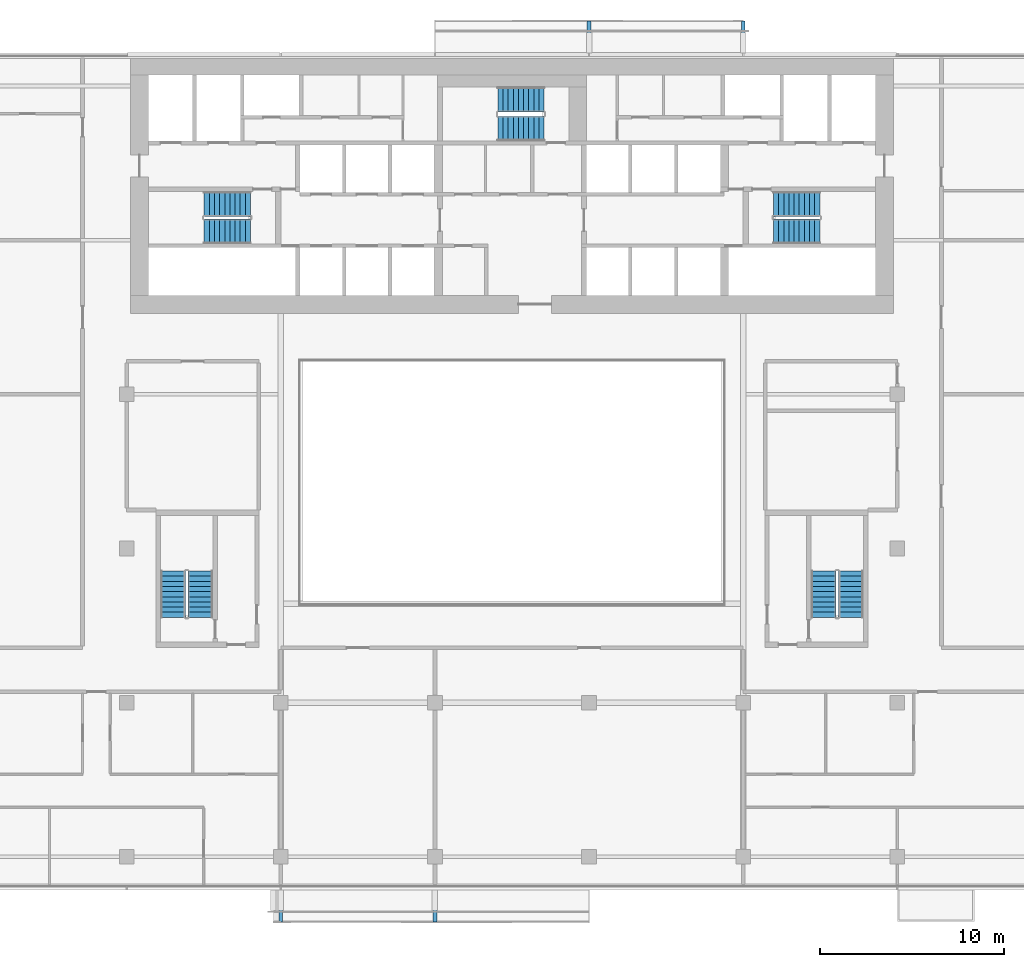
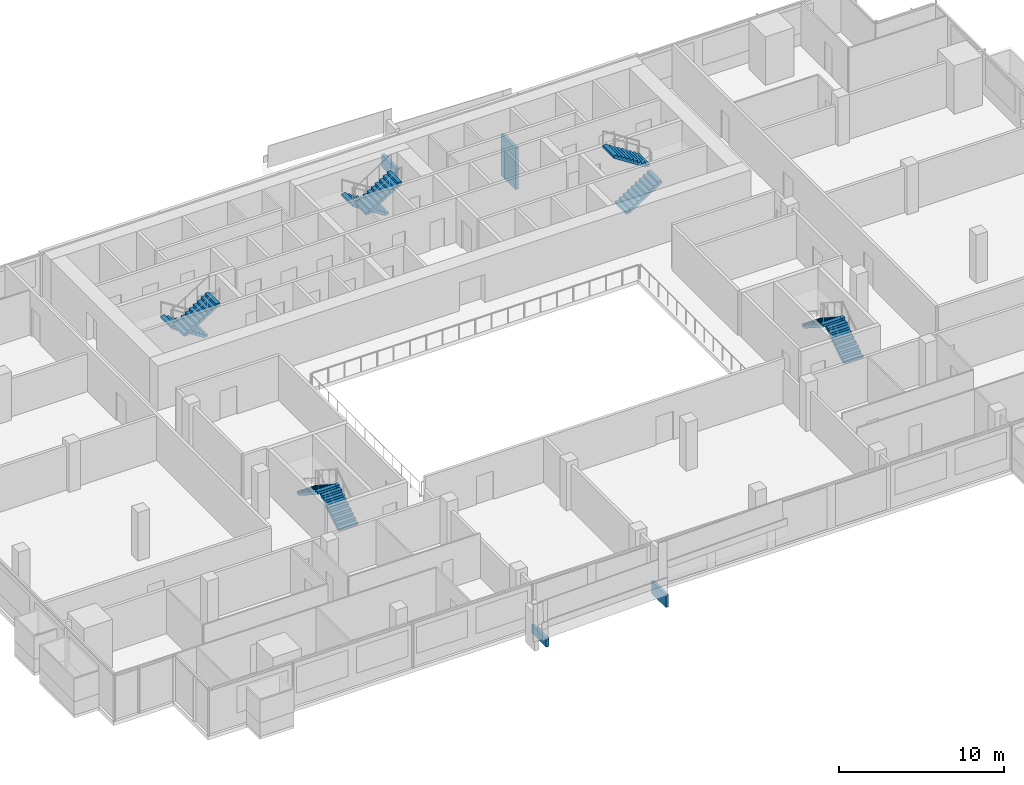
# One storey, part 24 of 26: 10 stair flights, 4 discrete accessories, 5 elements without a shape of their own.
"""IFC4 building model written with IfcOpenShell, lengths in metres."""

from ifc_helpers import new_model, si_unit, direction, frame, origin, origin_2d, place, context, subcontext, project, spatial, polyline, rectangle, outline, extrude, material, type_object, element, aggregate, save


model = new_model("IFC4")

# Units and contexts
model_context = context("Model", 3, precision=1e-05, world=origin(), true_north=direction((0.0, 1.0)))
body_context = subcontext(model_context, "Body", "Model", "MODEL_VIEW")
ifc_project = project(units=[si_unit("LENGTHUNIT", "METRE"), si_unit("AREAUNIT", "SQUARE_METRE"), si_unit("VOLUMEUNIT", "CUBIC_METRE"), si_unit("PLANEANGLEUNIT", "RADIAN"), si_unit("MASSUNIT", "GRAM", prefix="KILO")], contexts=[model_context])

# Site, building, storey
site_placement = place(None, origin())
site = spatial("IfcSite", under=ifc_project, at=site_placement, CompositionType="ELEMENT")
building_placement = place(site_placement, origin())
building = spatial("IfcBuilding", under=site, at=building_placement, Name="Saffron Gate Tower", CompositionType="ELEMENT")
storey_placement = place(building_placement, frame((0.0, 0.0, 98.85009765625)))
storey = spatial("IfcBuildingStorey", under=building, at=storey_placement, Name="L22", CompositionType="ELEMENT", Elevation=98.85009765625)

# Stair, stair flights
ifc_material = material(Name="Concrete C40", Category="concrete")
stair_type = type_object("IfcStairType", Name="ST7 Stair 1350 wide, 20 risers of 180", PredefinedType="HALF_TURN_STAIR", material=ifc_material)
stair_1_placement = place(storey_placement, origin())
stair_1 = element("IfcStair", 1, at=stair_1_placement, inside=storey, type_object=stair_type, Name="L22 Exit stair A", PredefinedType="HALF_TURN_STAIR")
stair_flight_type = type_object("IfcStairFlightType", Name="SF3 Stair flight 1350 wide, riser 180 going 280", PredefinedType="STRAIGHT", material=ifc_material)
stair_flight_1_placement = place(storey_placement, frame((73.35009765625, 67.375, 0.0), z_axis=(0.0, 0.0, 1.0), x_axis=(-1.0, 0.0, 0.0)))
stair_flight_1 = element("IfcStairFlight", 2, at=stair_flight_1_placement, type_object=stair_flight_type, Name="ST-A flight 1", NumberOfRisers=10, NumberOfTreads=9, PredefinedType="STRAIGHT", RiserHeight=0.18, TreadLength=0.28, context=body_context, shape_type="SweptSolid", body=[
    extrude(outline(polyline([(0.0, 0.0), (0.0, 0.179931640625), (0.280029296875, 0.179931640625), (0.280029296875, 0.360107421875), (0.56005859375, 0.360107421875), (0.56005859375, 0.5400390625), (0.840087890625, 0.5400390625), (0.840087890625, 0.719970703125), (1.1201171875, 0.719970703125), (1.1201171875, 0.89990234375), (1.39990234375, 0.89990234375), (1.39990234375, 1.080078125), (1.679931640625, 1.080078125), (1.679931640625, 1.260009765625), (1.9599609375, 1.260009765625), (1.9599609375, 1.43994140625), (2.239990234375, 1.43994140625), (2.239990234375, 1.6201171875), (2.52001953125, 1.6201171875), (2.52001953125, 1.800048828125), (2.52001953125, 1.44189453125), (0.277099609375, 0.0), (0.0, 0.0)])), frame((0.0, 0.675048828125, 0.0), z_axis=(0.0, -1.0, 0.0), x_axis=(1.0, 0.0, 0.0)), (0.0, 0.0, 1.0), 1.35009765625),
])
stair_flight_2_placement = place(storey_placement, frame((70.830078125, 65.875, 1.7998046875), z_axis=(0.0, 0.0, 1.0), x_axis=(1.0, 0.0, 0.0)))
stair_flight_2 = element("IfcStairFlight", 3, at=stair_flight_2_placement, type_object=stair_flight_type, Name="ST-A flight 2", NumberOfRisers=10, NumberOfTreads=9, PredefinedType="STRAIGHT", RiserHeight=0.18, TreadLength=0.28, context=body_context, shape_type="SweptSolid", body=[
    extrude(outline(polyline([(0.0, 0.0), (0.0, 0.179931640625), (0.280029296875, 0.179931640625), (0.280029296875, 0.360107421875), (0.56005859375, 0.360107421875), (0.56005859375, 0.5400390625), (0.840087890625, 0.5400390625), (0.840087890625, 0.719970703125), (1.1201171875, 0.719970703125), (1.1201171875, 0.89990234375), (1.39990234375, 0.89990234375), (1.39990234375, 1.080078125), (1.679931640625, 1.080078125), (1.679931640625, 1.260009765625), (1.9599609375, 1.260009765625), (1.9599609375, 1.43994140625), (2.239990234375, 1.43994140625), (2.239990234375, 1.6201171875), (2.52001953125, 1.6201171875), (2.52001953125, 1.800048828125), (2.52001953125, 1.44189453125), (0.277099609375, 0.0), (0.0, 0.0)])), frame((0.0, 0.675048828125, 0.0), z_axis=(0.0, -1.0, 0.0), x_axis=(1.0, 0.0, 0.0)), (0.0, 0.0, 1.0), 1.35009765625),
])
aggregate(stair_1, [stair_flight_1, stair_flight_2])

stair_2_placement = place(storey_placement, origin())
stair_2 = element("IfcStair", 4, at=stair_2_placement, inside=storey, type_object=stair_type, Name="L22 Exit stair B", PredefinedType="HALF_TURN_STAIR")
stair_flight_3_placement = place(storey_placement, frame((101.85009765625, 65.875, 0.0), z_axis=(0.0, 0.0, 1.0), x_axis=(1.0, 0.0, 0.0)))
stair_flight_3 = element("IfcStairFlight", 5, at=stair_flight_3_placement, type_object=stair_flight_type, Name="ST-B flight 1", NumberOfRisers=10, NumberOfTreads=9, PredefinedType="STRAIGHT", RiserHeight=0.18, TreadLength=0.28, context=body_context, shape_type="SweptSolid", body=[
    extrude(outline(polyline([(0.0, 0.0), (0.0, 0.179931640625), (0.280029296875, 0.179931640625), (0.280029296875, 0.360107421875), (0.56005859375, 0.360107421875), (0.56005859375, 0.5400390625), (0.840087890625, 0.5400390625), (0.840087890625, 0.719970703125), (1.1201171875, 0.719970703125), (1.1201171875, 0.89990234375), (1.39990234375, 0.89990234375), (1.39990234375, 1.080078125), (1.679931640625, 1.080078125), (1.679931640625, 1.260009765625), (1.9599609375, 1.260009765625), (1.9599609375, 1.43994140625), (2.239990234375, 1.43994140625), (2.239990234375, 1.6201171875), (2.52001953125, 1.6201171875), (2.52001953125, 1.800048828125), (2.52001953125, 1.44189453125), (0.277099609375, 0.0), (0.0, 0.0)])), frame((0.0, 0.675048828125, 0.0), z_axis=(0.0, -1.0, 0.0), x_axis=(1.0, 0.0, 0.0)), (0.0, 0.0, 1.0), 1.35009765625),
])
stair_flight_4_placement = place(storey_placement, frame((104.3701171875, 67.375, 1.7998046875), z_axis=(0.0, 0.0, 1.0), x_axis=(-1.0, 0.0, 0.0)))
stair_flight_4 = element("IfcStairFlight", 6, at=stair_flight_4_placement, type_object=stair_flight_type, Name="ST-B flight 2", NumberOfRisers=10, NumberOfTreads=9, PredefinedType="STRAIGHT", RiserHeight=0.18, TreadLength=0.28, context=body_context, shape_type="SweptSolid", body=[
    extrude(outline(polyline([(0.0, 0.0), (0.0, 0.179931640625), (0.280029296875, 0.179931640625), (0.280029296875, 0.360107421875), (0.56005859375, 0.360107421875), (0.56005859375, 0.5400390625), (0.840087890625, 0.5400390625), (0.840087890625, 0.719970703125), (1.1201171875, 0.719970703125), (1.1201171875, 0.89990234375), (1.39990234375, 0.89990234375), (1.39990234375, 1.080078125), (1.679931640625, 1.080078125), (1.679931640625, 1.260009765625), (1.9599609375, 1.260009765625), (1.9599609375, 1.43994140625), (2.239990234375, 1.43994140625), (2.239990234375, 1.6201171875), (2.52001953125, 1.6201171875), (2.52001953125, 1.800048828125), (2.52001953125, 1.44189453125), (0.277099609375, 0.0), (0.0, 0.0)])), frame((0.0, 0.675048828125, 0.0), z_axis=(0.0, -1.0, 0.0), x_axis=(1.0, 0.0, 0.0)), (0.0, 0.0, 1.0), 1.35009765625),
])
aggregate(stair_2, [stair_flight_3, stair_flight_4])

stair_3_placement = place(storey_placement, origin())
stair_3 = element("IfcStair", 7, at=stair_3_placement, inside=storey, type_object=stair_type, Name="L22 Exit stair C", PredefinedType="HALF_TURN_STAIR")
stair_flight_5_placement = place(storey_placement, frame((89.35009765625, 73.074951171875, 0.0), z_axis=(0.0, 0.0, 1.0), x_axis=(-1.0, 0.0, 0.0)))
stair_flight_5 = element("IfcStairFlight", 8, at=stair_flight_5_placement, type_object=stair_flight_type, Name="ST-C flight 1", NumberOfRisers=10, NumberOfTreads=9, PredefinedType="STRAIGHT", RiserHeight=0.18, TreadLength=0.28, context=body_context, shape_type="SweptSolid", body=[
    extrude(outline(polyline([(0.0, 0.0), (0.0, 0.179931640625), (0.280029296875, 0.179931640625), (0.280029296875, 0.360107421875), (0.56005859375, 0.360107421875), (0.56005859375, 0.5400390625), (0.840087890625, 0.5400390625), (0.840087890625, 0.719970703125), (1.1201171875, 0.719970703125), (1.1201171875, 0.89990234375), (1.39990234375, 0.89990234375), (1.39990234375, 1.080078125), (1.679931640625, 1.080078125), (1.679931640625, 1.260009765625), (1.9599609375, 1.260009765625), (1.9599609375, 1.43994140625), (2.239990234375, 1.43994140625), (2.239990234375, 1.6201171875), (2.52001953125, 1.6201171875), (2.52001953125, 1.800048828125), (2.52001953125, 1.44189453125), (0.277099609375, 0.0), (0.0, 0.0)])), frame((0.0, 0.675048828125, 0.0), z_axis=(0.0, -1.0, 0.0), x_axis=(1.0, 0.0, 0.0)), (0.0, 0.0, 1.0), 1.35009765625),
])
stair_flight_6_placement = place(storey_placement, frame((86.830078125, 71.47509765625, 1.7998046875), z_axis=(0.0, 0.0, 1.0), x_axis=(1.0, 0.0, 0.0)))
stair_flight_6 = element("IfcStairFlight", 9, at=stair_flight_6_placement, type_object=stair_flight_type, Name="ST-C flight 2", NumberOfRisers=10, NumberOfTreads=9, PredefinedType="STRAIGHT", RiserHeight=0.18, TreadLength=0.28, context=body_context, shape_type="SweptSolid", body=[
    extrude(outline(polyline([(0.0, 0.0), (0.0, 0.179931640625), (0.280029296875, 0.179931640625), (0.280029296875, 0.360107421875), (0.56005859375, 0.360107421875), (0.56005859375, 0.5400390625), (0.840087890625, 0.5400390625), (0.840087890625, 0.719970703125), (1.1201171875, 0.719970703125), (1.1201171875, 0.89990234375), (1.39990234375, 0.89990234375), (1.39990234375, 1.080078125), (1.679931640625, 1.080078125), (1.679931640625, 1.260009765625), (1.9599609375, 1.260009765625), (1.9599609375, 1.43994140625), (2.239990234375, 1.43994140625), (2.239990234375, 1.6201171875), (2.52001953125, 1.6201171875), (2.52001953125, 1.800048828125), (2.52001953125, 1.44189453125), (0.277099609375, 0.0), (0.0, 0.0)])), frame((0.0, 0.675048828125, 0.0), z_axis=(0.0, -1.0, 0.0), x_axis=(1.0, 0.0, 0.0)), (0.0, 0.0, 1.0), 1.35009765625),
])
aggregate(stair_3, [stair_flight_5, stair_flight_6])

stair_4_placement = place(storey_placement, origin())
stair_4 = element("IfcStair", 10, at=stair_4_placement, inside=storey, type_object=stair_type, Name="L22 Exit stair D", PredefinedType="HALF_TURN_STAIR")
stair_flight_7_placement = place(storey_placement, frame((70.625, 44.85009765625, 0.0), z_axis=(0.0, 0.0, 1.0), x_axis=(0.0, 1.0, 0.0)))
stair_flight_7 = element("IfcStairFlight", 11, at=stair_flight_7_placement, type_object=stair_flight_type, Name="ST-D flight 1", NumberOfRisers=10, NumberOfTreads=9, PredefinedType="STRAIGHT", RiserHeight=0.18, TreadLength=0.28, context=body_context, shape_type="SweptSolid", body=[
    extrude(outline(polyline([(0.0, 0.0), (0.0, 0.179931640625), (0.280029296875, 0.179931640625), (0.280029296875, 0.360107421875), (0.56005859375, 0.360107421875), (0.56005859375, 0.5400390625), (0.840087890625, 0.5400390625), (0.840087890625, 0.719970703125), (1.1201171875, 0.719970703125), (1.1201171875, 0.89990234375), (1.39990234375, 0.89990234375), (1.39990234375, 1.080078125), (1.679931640625, 1.080078125), (1.679931640625, 1.260009765625), (1.9599609375, 1.260009765625), (1.9599609375, 1.43994140625), (2.239990234375, 1.43994140625), (2.239990234375, 1.6201171875), (2.52001953125, 1.6201171875), (2.52001953125, 1.800048828125), (2.52001953125, 1.44189453125), (0.277099609375, 0.0), (0.0, 0.0)])), frame((0.0, 0.675048828125, 0.0), z_axis=(0.0, -1.0, 0.0), x_axis=(1.0, 0.0, 0.0)), (0.0, 0.0, 1.0), 1.35009765625),
])
stair_flight_8_placement = place(storey_placement, frame((69.125, 47.3701171875, 1.7998046875), z_axis=(0.0, 0.0, 1.0), x_axis=(0.0, -1.0, 0.0)))
stair_flight_8 = element("IfcStairFlight", 12, at=stair_flight_8_placement, type_object=stair_flight_type, Name="ST-D flight 2", NumberOfRisers=10, NumberOfTreads=9, PredefinedType="STRAIGHT", RiserHeight=0.18, TreadLength=0.28, context=body_context, shape_type="SweptSolid", body=[
    extrude(outline(polyline([(0.0, 0.0), (0.0, 0.179931640625), (0.280029296875, 0.179931640625), (0.280029296875, 0.360107421875), (0.56005859375, 0.360107421875), (0.56005859375, 0.5400390625), (0.840087890625, 0.5400390625), (0.840087890625, 0.719970703125), (1.1201171875, 0.719970703125), (1.1201171875, 0.89990234375), (1.39990234375, 0.89990234375), (1.39990234375, 1.080078125), (1.679931640625, 1.080078125), (1.679931640625, 1.260009765625), (1.9599609375, 1.260009765625), (1.9599609375, 1.43994140625), (2.239990234375, 1.43994140625), (2.239990234375, 1.6201171875), (2.52001953125, 1.6201171875), (2.52001953125, 1.800048828125), (2.52001953125, 1.44189453125), (0.277099609375, 0.0), (0.0, 0.0)])), frame((0.0, 0.675048828125, 0.0), z_axis=(0.0, -1.0, 0.0), x_axis=(1.0, 0.0, 0.0)), (0.0, 0.0, 1.0), 1.35009765625),
])
aggregate(stair_4, [stair_flight_7, stair_flight_8])

stair_5_placement = place(storey_placement, origin())
stair_5 = element("IfcStair", 13, at=stair_5_placement, inside=storey, type_object=stair_type, Name="L22 Exit stair E", PredefinedType="HALF_TURN_STAIR")
stair_flight_9_placement = place(storey_placement, frame((106.074951171875, 44.85009765625, 0.0), z_axis=(0.0, 0.0, 1.0), x_axis=(0.0, 1.0, 0.0)))
stair_flight_9 = element("IfcStairFlight", 14, at=stair_flight_9_placement, type_object=stair_flight_type, Name="ST-E flight 1", NumberOfRisers=10, NumberOfTreads=9, PredefinedType="STRAIGHT", RiserHeight=0.18, TreadLength=0.28, context=body_context, shape_type="SweptSolid", body=[
    extrude(outline(polyline([(0.0, 0.0), (0.0, 0.179931640625), (0.280029296875, 0.179931640625), (0.280029296875, 0.360107421875), (0.56005859375, 0.360107421875), (0.56005859375, 0.5400390625), (0.840087890625, 0.5400390625), (0.840087890625, 0.719970703125), (1.1201171875, 0.719970703125), (1.1201171875, 0.89990234375), (1.39990234375, 0.89990234375), (1.39990234375, 1.080078125), (1.679931640625, 1.080078125), (1.679931640625, 1.260009765625), (1.9599609375, 1.260009765625), (1.9599609375, 1.43994140625), (2.239990234375, 1.43994140625), (2.239990234375, 1.6201171875), (2.52001953125, 1.6201171875), (2.52001953125, 1.800048828125), (2.52001953125, 1.44189453125), (0.277099609375, 0.0), (0.0, 0.0)])), frame((0.0, 0.675048828125, 0.0), z_axis=(0.0, -1.0, 0.0), x_axis=(1.0, 0.0, 0.0)), (0.0, 0.0, 1.0), 1.35009765625),
])
stair_flight_10_placement = place(storey_placement, frame((104.574951171875, 47.3701171875, 1.7998046875), z_axis=(0.0, 0.0, 1.0), x_axis=(0.0, -1.0, 0.0)))
stair_flight_10 = element("IfcStairFlight", 15, at=stair_flight_10_placement, type_object=stair_flight_type, Name="ST-E flight 2", NumberOfRisers=10, NumberOfTreads=9, PredefinedType="STRAIGHT", RiserHeight=0.18, TreadLength=0.28, context=body_context, shape_type="SweptSolid", body=[
    extrude(outline(polyline([(0.0, 0.0), (0.0, 0.179931640625), (0.280029296875, 0.179931640625), (0.280029296875, 0.360107421875), (0.56005859375, 0.360107421875), (0.56005859375, 0.5400390625), (0.840087890625, 0.5400390625), (0.840087890625, 0.719970703125), (1.1201171875, 0.719970703125), (1.1201171875, 0.89990234375), (1.39990234375, 0.89990234375), (1.39990234375, 1.080078125), (1.679931640625, 1.080078125), (1.679931640625, 1.260009765625), (1.9599609375, 1.260009765625), (1.9599609375, 1.43994140625), (2.239990234375, 1.43994140625), (2.239990234375, 1.6201171875), (2.52001953125, 1.6201171875), (2.52001953125, 1.800048828125), (2.52001953125, 1.44189453125), (0.277099609375, 0.0), (0.0, 0.0)])), frame((0.0, 0.675048828125, 0.0), z_axis=(0.0, -1.0, 0.0), x_axis=(1.0, 0.0, 0.0)), (0.0, 0.0, 1.0), 1.35009765625),
])
aggregate(stair_5, [stair_flight_9, stair_flight_10])

# Discrete accessories
discrete_accessory_1_placement = place(storey_placement, frame((75.0, 29.125, -0.280029296875), z_axis=(0.0, 0.0, 1.0), x_axis=(1.0, 0.0, 0.0)))
element("IfcDiscreteAccessory", 16, at=discrete_accessory_1_placement, inside=storey, Name="LEDGE rib", PredefinedType="BRACKET", context=body_context, shape_type="SweptSolid", body=[
    extrude(rectangle(XDim=0.199951171875, YDim=1.75, at=origin_2d()), origin(), (0.0, 0.0, 1.0), 0.6376953125),
])
discrete_accessory_2_placement = place(storey_placement, frame((83.39990234375, 29.125, -0.2802734375), z_axis=(0.0, 0.0, 1.0), x_axis=(1.0, 0.0, 0.0)))
element("IfcDiscreteAccessory", 17, at=discrete_accessory_2_placement, inside=storey, Name="LEDGE rib", PredefinedType="BRACKET", context=body_context, shape_type="SweptSolid", body=[
    extrude(rectangle(XDim=0.199951171875, YDim=1.75, at=origin_2d()), origin(), (0.0, 0.0, 1.0), 0.936767578125),
])
discrete_accessory_3_placement = place(storey_placement, frame((100.199951171875, 76.47509765625, -3.8798828125), z_axis=(0.0, 0.0, 1.0), x_axis=(-1.0, 0.0, 0.0)))
element("IfcDiscreteAccessory", 18, at=discrete_accessory_3_placement, inside=storey, Name="LEDGE rib", PredefinedType="BRACKET", context=body_context, shape_type="SweptSolid", body=[
    extrude(rectangle(XDim=0.199951171875, YDim=1.75, at=origin_2d()), origin(), (0.0, 0.0, 1.0), 3.094482421875),
])
discrete_accessory_4_placement = place(storey_placement, frame((91.800048828125, 76.47509765625, -0.2802734375), z_axis=(0.0, 0.0, 1.0), x_axis=(-1.0, 0.0, 0.0)))
element("IfcDiscreteAccessory", 19, at=discrete_accessory_4_placement, inside=storey, Name="LEDGE rib", PredefinedType="BRACKET", context=body_context, shape_type="SweptSolid", body=[
    extrude(rectangle(XDim=0.199951171875, YDim=1.75, at=origin_2d()), origin(), (0.0, 0.0, 1.0), 0.936767578125),
])

save(model, "model.ifc")
